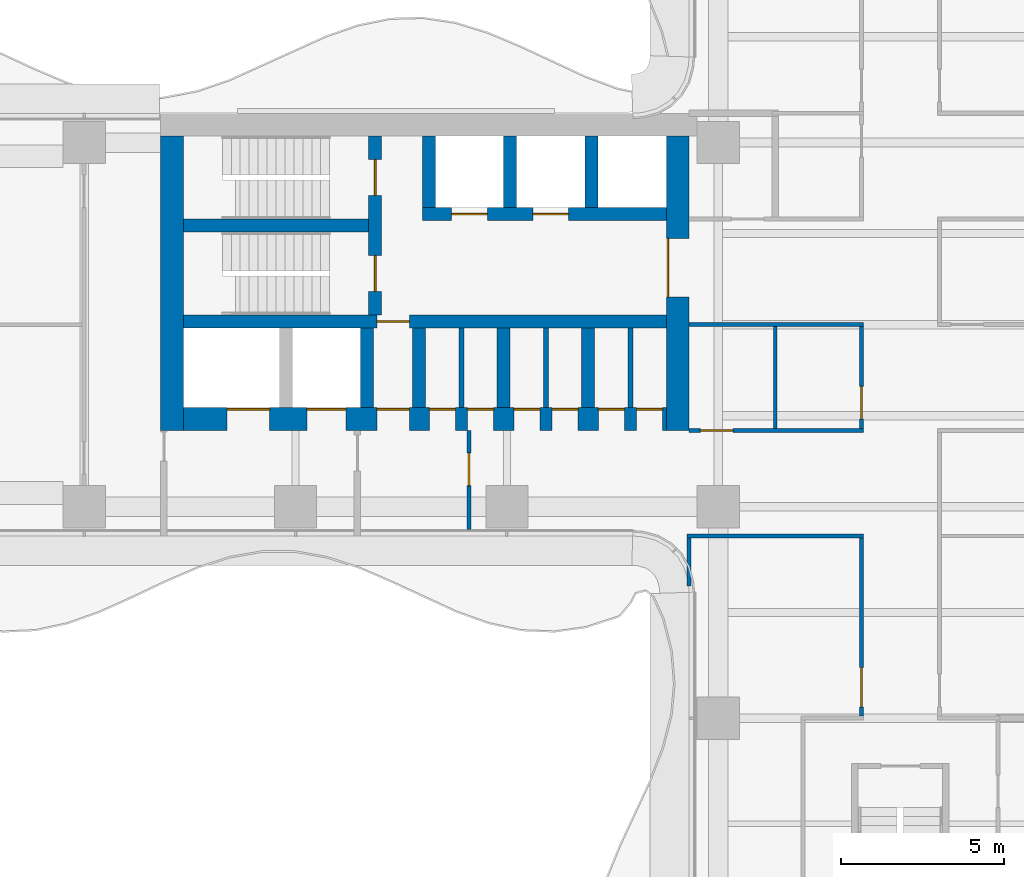
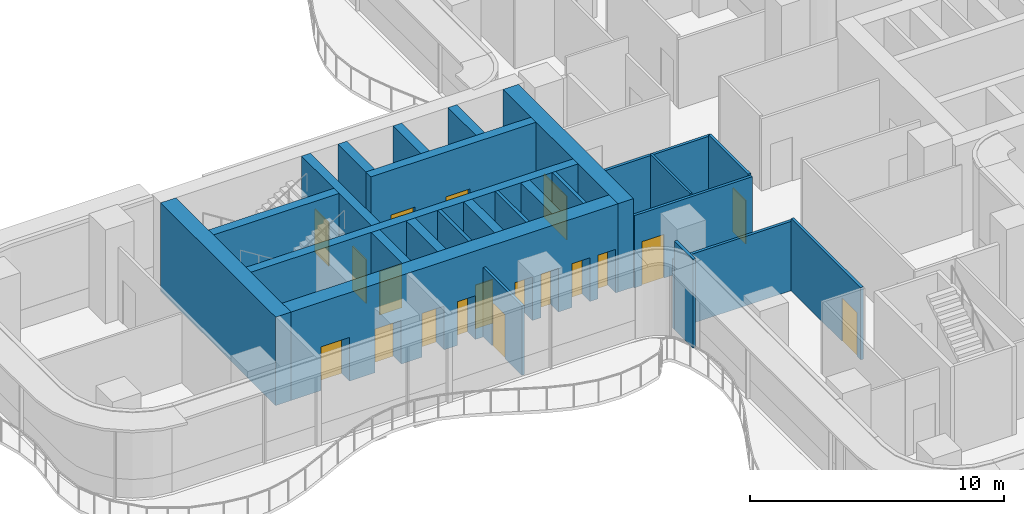
# One storey, part 16 of 21: 25 walls, 19 doors, 19 openings.
"""IFC4 building model written with IfcOpenShell, lengths in metres."""

from ifc_helpers import new_model, si_unit, direction, frame, frame_2d, origin, place, context, subcontext, project, spatial, rectangle, extrude, source, transform, mapped, material, layer, layer_set, type_object, element, fill, save


model = new_model("IFC4")

# Units and contexts
model_context = context("Model", 3, precision=1e-05, world=origin(), true_north=direction((0.0, 1.0)))
body_context = subcontext(model_context, "Body", "Model", "MODEL_VIEW")
ifc_project = project(units=[si_unit("LENGTHUNIT", "METRE"), si_unit("AREAUNIT", "SQUARE_METRE"), si_unit("VOLUMEUNIT", "CUBIC_METRE"), si_unit("PLANEANGLEUNIT", "RADIAN"), si_unit("MASSUNIT", "GRAM", prefix="KILO")], contexts=[model_context])

# Site, building, storey
site_placement = place(None, origin())
site = spatial("IfcSite", under=ifc_project, at=site_placement, CompositionType="ELEMENT")
building_placement = place(site_placement, origin())
building = spatial("IfcBuilding", under=site, at=building_placement, Name="Trellis Farm Tower", CompositionType="ELEMENT")
storey_placement = place(building_placement, frame((0.0, 0.0, 147.0)))
storey = spatial("IfcBuildingStorey", under=building, at=storey_placement, Name="L31", CompositionType="ELEMENT", Elevation=147.0)

# Wall, opening, door
ifc_material_1 = material(Name="Concrete C70/85", Category="concrete")
ifc_layer_1 = layer(ifc_material_1, 0.699951171875)
ifc_layer_set_1 = layer_set([ifc_layer_1], Name="CORE OUTER WALL 700 CONCRETE C70/85")
wall_type_1 = type_object("IfcWallType", Name="CORE OUTER WALL 700 CONCRETE C70/85", PredefinedType="SHEAR", material=ifc_layer_set_1)
shared_shape_1 = source(origin(), body_context, "Body", "SweptSolid", [
    extrude(rectangle(XDim=9.050048828125, YDim=0.699951171875, at=frame_2d((4.52490234375, 0.0))), origin(), (0.0, 0.0, 1.0), 4.25),
])
wall_1_placement = place(storey_placement, frame((-6.85009765625, 5.800048828125, 0.0), z_axis=(0.0, 0.0, 1.0), x_axis=(0.0, -1.0, 0.0)))
wall_1 = element("IfcWall", 1, at=wall_1_placement, inside=storey, type_object=wall_type_1, Name="Core wall", PredefinedType="SHEAR", context=body_context, shape_type="MappedRepresentation", body=[
    mapped(shared_shape_1, transform((0.0, 0.0, 0.0))),
])
shared_shape_2 = source(origin(), body_context, "Body", "SweptSolid", [
    extrude(rectangle(XDim=1.800048828125, YDim=2.10009765625, at=frame_2d((0.89990234375, 1.050048828125))), frame((0.0, 0.360107421875, 0.0), z_axis=(0.0, -1.0, 0.0), x_axis=(1.0, 0.0, 0.0)), (0.0, 0.0, 1.0), 0.72021484375),
])
opening_1_placement = place(wall_1_placement, frame((3.14990234375, 0.0, 0.0)))
opening_1 = element("IfcOpeningElement", 2, at=opening_1_placement, cuts=wall_1, Name="Opening DC87", PredefinedType="OPENING", context=body_context, shape_type="MappedRepresentation", body=[
    mapped(shared_shape_2, transform((0.0, 0.0, 0.0))),
])
ifc_material_2 = material(Name="Steel", Category="steel")
door_type_1 = type_object("IfcDoorType", Name="CORE FIRE DOOR DOUBLE 1800 X 2100", OperationType="DOUBLE_DOOR_SINGLE_SWING", PredefinedType="DOOR", material=ifc_material_2)
shared_shape_3 = source(origin(), body_context, "Body", "SweptSolid", [
    extrude(rectangle(XDim=1.800048828125, YDim=2.10009765625, at=frame_2d((0.89990234375, 1.050048828125))), frame((0.0, -0.27490234375, 0.0), z_axis=(0.0, -1.0, 0.0), x_axis=(1.0, 0.0, 0.0)), (0.0, 0.0, 1.0), 0.050048828125),
])
door_1_placement = place(opening_1_placement, origin())
door_1 = element("IfcDoor", 3, at=door_1_placement, inside=storey, type_object=door_type_1, Name="Core door", OperationType="DOUBLE_DOOR_SINGLE_SWING", OverallHeight=2.10009765625, OverallWidth=1.800048828125, PredefinedType="DOOR", context=body_context, shape_type="MappedRepresentation", body=[
    mapped(shared_shape_3, transform((0.0, 0.0, 0.0))),
])
fill(opening_1, door_1)

# Walls
wall_2_placement = place(storey_placement, frame((-22.39990234375, 5.800048828125, 0.0), z_axis=(0.0, 0.0, 1.0), x_axis=(0.0, -1.0, 0.0)))
element("IfcWall", 4, at=wall_2_placement, inside=storey, type_object=wall_type_1, Name="Core wall", PredefinedType="SHEAR", context=body_context, shape_type="MappedRepresentation", body=[
    mapped(shared_shape_1, transform((0.0, 0.0, 0.0))),
])
ifc_layer_2 = layer(ifc_material_1, 0.39990234375)
ifc_layer_set_2 = layer_set([ifc_layer_2], Name="CORE INNER WALL 400 CONCRETE C70/85")
wall_type_2 = type_object("IfcWallType", Name="CORE INNER WALL 400 CONCRETE C70/85", PredefinedType="SHEAR", material=ifc_layer_set_2)
shared_shape_4 = source(origin(), body_context, "Body", "SweptSolid", [
    extrude(rectangle(XDim=2.199951171875, YDim=0.39990234375, at=frame_2d((1.10009765625, 0.0))), origin(), (0.0, 0.0, 1.0), 4.25),
])
for number, where, z_axis, x_axis, name in (
    (5, (-9.5, 5.800048828125, 0.0), (0.0, 0.0, 1.0), (0.0, -1.0, 0.0), "Core wall"),
    (6, (-12.0, 5.800048828125, 0.0), (0.0, 0.0, 1.0), (0.0, -1.0, 0.0), "Core wall"),
    (7, (-14.5, 5.800048828125, 0.0), (0.0, 0.0, 1.0), (0.0, -1.0, 0.0), "Core wall"),
):
    element("IfcWall", number, at=place(storey_placement, frame(where, z_axis=z_axis, x_axis=x_axis)), inside=storey, type_object=wall_type_2, Name=name, PredefinedType="SHEAR", context=body_context, shape_type="MappedRepresentation", body=[
        mapped(shared_shape_4, transform((0.0, 0.0, 0.0))),
    ])
shared_shape_5 = source(origin(), body_context, "Body", "SweptSolid", [
    extrude(rectangle(XDim=2.449951171875, YDim=0.39990234375, at=frame_2d((1.22509765625, 0.0))), origin(), (0.0, 0.0, 1.0), 4.25),
])
for number, where, z_axis, x_axis, name in (
    (8, (-9.60009765625, -0.10009765625, 0.0), (0.0, 0.0, 1.0), (0.0, -1.0, 0.0), "Core wall"),
    (9, (-12.199951171875, -0.10009765625, 0.0), (0.0, 0.0, 1.0), (0.0, -1.0, 0.0), "Core wall"),
    (10, (-14.800048828125, -0.10009765625, 0.0), (0.0, 0.0, 1.0), (0.0, -1.0, 0.0), "Core wall"),
    (11, (-16.39990234375, -0.10009765625, 0.0), (0.0, 0.0, 1.0), (0.0, -1.0, 0.0), "Core wall"),
):
    element("IfcWall", number, at=place(storey_placement, frame(where, z_axis=z_axis, x_axis=x_axis)), inside=storey, type_object=wall_type_2, Name=name, PredefinedType="SHEAR", context=body_context, shape_type="MappedRepresentation", body=[
        mapped(shared_shape_5, transform((0.0, 0.0, 0.0))),
    ])

# Wall, openings, doors
shared_shape_6 = source(origin(), body_context, "Body", "SweptSolid", [
    extrude(rectangle(XDim=14.85009765625, YDim=0.699951171875, at=frame_2d((7.425048828125, 0.0))), origin(), (0.0, 0.0, 1.0), 4.25),
])
wall_3_placement = place(storey_placement, frame((-7.199951171875, -2.89990234375, 0.0), z_axis=(0.0, 0.0, 1.0), x_axis=(-1.0, 0.0, 0.0)))
wall_3 = element("IfcWall", 12, at=wall_3_placement, inside=storey, type_object=wall_type_1, Name="Core wall", PredefinedType="SHEAR", context=body_context, shape_type="MappedRepresentation", body=[
    mapped(shared_shape_6, transform((0.0, 0.0, 0.0))),
])
shared_shape_7 = source(origin(), body_context, "Body", "SweptSolid", [
    extrude(rectangle(XDim=1.300048828125, YDim=2.10009765625, at=frame_2d((0.64990234375, 1.050048828125))), frame((0.0, 0.360107421875, 0.0), z_axis=(0.0, -1.0, 0.0), x_axis=(1.0, 0.0, 0.0)), (0.0, 0.0, 1.0), 0.72021484375),
])
opening_2_placement = place(wall_3_placement, frame((12.199951171875, 0.0, 0.0)))
opening_2 = element("IfcOpeningElement", 13, at=opening_2_placement, cuts=wall_3, Name="Opening LD15", PredefinedType="OPENING", context=body_context, shape_type="MappedRepresentation", body=[
    mapped(shared_shape_7, transform((0.0, 0.0, 0.0))),
])
shared_shape_8 = source(origin(), body_context, "Body", "SweptSolid", [
    extrude(rectangle(XDim=1.199951171875, YDim=2.10009765625, at=frame_2d((0.60009765625, 1.050048828125))), frame((0.0, 0.360107421875, 0.0), z_axis=(0.0, -1.0, 0.0), x_axis=(1.0, 0.0, 0.0)), (0.0, 0.0, 1.0), 0.72021484375),
])
opening_3_placement = place(wall_3_placement, frame((9.85009765625, 0.0, 0.0)))
opening_3 = element("IfcOpeningElement", 14, at=opening_3_placement, cuts=wall_3, Name="Opening LD16", PredefinedType="OPENING", context=body_context, shape_type="MappedRepresentation", body=[
    mapped(shared_shape_8, transform((0.0, 0.0, 0.0))),
])
shared_shape_9 = source(origin(), body_context, "Body", "SweptSolid", [
    extrude(rectangle(XDim=1.0, YDim=2.10009765625, at=frame_2d((0.5, 1.050048828125))), frame((0.0, 0.360107421875, 0.0), z_axis=(0.0, -1.0, 0.0), x_axis=(1.0, 0.0, 0.0)), (0.0, 0.0, 1.0), 0.72021484375),
])
opening_4_placement = place(wall_3_placement, frame((7.89990234375, 0.0, 0.0)))
opening_4 = element("IfcOpeningElement", 15, at=opening_4_placement, cuts=wall_3, Name="Opening DC92", PredefinedType="OPENING", context=body_context, shape_type="MappedRepresentation", body=[
    mapped(shared_shape_9, transform((0.0, 0.0, 0.0))),
])
shared_shape_10 = source(origin(), body_context, "Body", "SweptSolid", [
    extrude(rectangle(XDim=0.800048828125, YDim=2.10009765625, at=frame_2d((0.39990234375, 1.050048828125))), frame((0.0, 0.360107421875, 0.0), z_axis=(0.0, -1.0, 0.0), x_axis=(1.0, 0.0, 0.0)), (0.0, 0.0, 1.0), 0.72021484375),
])
opening_5_placement = place(wall_3_placement, frame((0.112548828125, 0.0, 0.0)))
opening_5 = element("IfcOpeningElement", 16, at=opening_5_placement, cuts=wall_3, Name="Opening DC95", PredefinedType="OPENING", context=body_context, shape_type="MappedRepresentation", body=[
    mapped(shared_shape_10, transform((0.0, 0.0, 0.0))),
])
opening_6_placement = place(wall_3_placement, frame((1.28759765625, 0.0, 0.0)))
opening_6 = element("IfcOpeningElement", 17, at=opening_6_placement, cuts=wall_3, Name="Opening DC102", PredefinedType="OPENING", context=body_context, shape_type="MappedRepresentation", body=[
    mapped(shared_shape_10, transform((0.0, 0.0, 0.0))),
])
opening_7_placement = place(wall_3_placement, frame((2.71240234375, 0.0, 0.0)))
opening_7 = element("IfcOpeningElement", 18, at=opening_7_placement, cuts=wall_3, Name="Opening DC107", PredefinedType="OPENING", context=body_context, shape_type="MappedRepresentation", body=[
    mapped(shared_shape_10, transform((0.0, 0.0, 0.0))),
])
opening_8_placement = place(wall_3_placement, frame((3.887451171875, 0.0, 0.0)))
opening_8 = element("IfcOpeningElement", 19, at=opening_8_placement, cuts=wall_3, Name="Opening DC114", PredefinedType="OPENING", context=body_context, shape_type="MappedRepresentation", body=[
    mapped(shared_shape_10, transform((0.0, 0.0, 0.0))),
])
opening_9_placement = place(wall_3_placement, frame((5.3125, 0.0, 0.0)))
opening_9 = element("IfcOpeningElement", 20, at=opening_9_placement, cuts=wall_3, Name="Opening DC119", PredefinedType="OPENING", context=body_context, shape_type="MappedRepresentation", body=[
    mapped(shared_shape_10, transform((0.0, 0.0, 0.0))),
])
opening_10_placement = place(wall_3_placement, frame((6.487548828125, 0.0, 0.0)))
opening_10 = element("IfcOpeningElement", 21, at=opening_10_placement, cuts=wall_3, Name="Opening DC126", PredefinedType="OPENING", context=body_context, shape_type="MappedRepresentation", body=[
    mapped(shared_shape_10, transform((0.0, 0.0, 0.0))),
])
door_type_2 = type_object("IfcDoorType", Name="CORE FIRE DOOR 1000 X 2100", OperationType="NOTDEFINED", PredefinedType="DOOR", material=ifc_material_2)
shared_shape_11 = source(origin(), body_context, "Body", "SweptSolid", [
    extrude(rectangle(XDim=1.0, YDim=2.10009765625, at=frame_2d((0.5, 1.050048828125))), frame((0.0, -0.27490234375, 0.0), z_axis=(0.0, -1.0, 0.0), x_axis=(1.0, 0.0, 0.0)), (0.0, 0.0, 1.0), 0.050048828125),
])
door_2_placement = place(opening_4_placement, origin())
door_2 = element("IfcDoor", 22, at=door_2_placement, inside=storey, type_object=door_type_2, Name="Core door", OperationType="SINGLE_SWING_LEFT", OverallHeight=2.10009765625, OverallWidth=1.0, PredefinedType="DOOR", context=body_context, shape_type="MappedRepresentation", body=[
    mapped(shared_shape_11, transform((0.0, 0.0, 0.0))),
])
fill(opening_4, door_2)
ifc_material_3 = material(Name="Stainless steel", Category="steel")
door_type_3 = type_object("IfcDoorType", Name="LIFT LANDING DOOR 1300 X 2100", OperationType="DOUBLE_DOOR_SLIDING", PredefinedType="DOOR", material=ifc_material_3)
shared_shape_12 = source(origin(), body_context, "Body", "SweptSolid", [
    extrude(rectangle(XDim=1.300048828125, YDim=2.10009765625, at=frame_2d((0.64990234375, 1.050048828125))), frame((0.0, -0.27490234375, 0.0), z_axis=(0.0, -1.0, 0.0), x_axis=(1.0, 0.0, 0.0)), (0.0, 0.0, 1.0), 0.050048828125),
])
door_3_placement = place(opening_2_placement, origin())
door_3 = element("IfcDoor", 23, at=door_3_placement, inside=storey, type_object=door_type_3, Name="Lift landing door", OperationType="DOUBLE_DOOR_SLIDING", OverallHeight=2.10009765625, OverallWidth=1.300048828125, PredefinedType="DOOR", context=body_context, shape_type="MappedRepresentation", body=[
    mapped(shared_shape_12, transform((0.0, 0.0, 0.0))),
])
fill(opening_2, door_3)
door_type_4 = type_object("IfcDoorType", Name="LIFT LANDING DOOR 1200 X 2100", OperationType="DOUBLE_DOOR_SLIDING", PredefinedType="DOOR", material=ifc_material_3)
shared_shape_13 = source(origin(), body_context, "Body", "SweptSolid", [
    extrude(rectangle(XDim=1.199951171875, YDim=2.10009765625, at=frame_2d((0.60009765625, 1.050048828125))), frame((0.0, -0.27490234375, 0.0), z_axis=(0.0, -1.0, 0.0), x_axis=(1.0, 0.0, 0.0)), (0.0, 0.0, 1.0), 0.050048828125),
])
door_4_placement = place(opening_3_placement, origin())
door_4 = element("IfcDoor", 24, at=door_4_placement, inside=storey, type_object=door_type_4, Name="Lift landing door", OperationType="DOUBLE_DOOR_SLIDING", OverallHeight=2.10009765625, OverallWidth=1.199951171875, PredefinedType="DOOR", context=body_context, shape_type="MappedRepresentation", body=[
    mapped(shared_shape_13, transform((0.0, 0.0, 0.0))),
])
fill(opening_3, door_4)
door_type_5 = type_object("IfcDoorType", Name="CORE FIRE DOOR 800 X 2100", OperationType="NOTDEFINED", PredefinedType="DOOR", material=ifc_material_2)
shared_shape_14 = source(origin(), body_context, "Body", "SweptSolid", [
    extrude(rectangle(XDim=0.800048828125, YDim=2.10009765625, at=frame_2d((0.39990234375, 1.050048828125))), frame((0.0, -0.27490234375, 0.0), z_axis=(0.0, -1.0, 0.0), x_axis=(1.0, 0.0, 0.0)), (0.0, 0.0, 1.0), 0.050048828125),
])
door_5_placement = place(opening_5_placement, origin())
door_5 = element("IfcDoor", 25, at=door_5_placement, inside=storey, type_object=door_type_5, Name="Core door", OperationType="SINGLE_SWING_LEFT", OverallHeight=2.10009765625, OverallWidth=0.800048828125, PredefinedType="DOOR", context=body_context, shape_type="MappedRepresentation", body=[
    mapped(shared_shape_14, transform((0.0, 0.0, 0.0))),
])
fill(opening_5, door_5)
door_6_placement = place(opening_6_placement, origin())
door_6 = element("IfcDoor", 26, at=door_6_placement, inside=storey, type_object=door_type_5, Name="Core door", OperationType="SINGLE_SWING_RIGHT", OverallHeight=2.10009765625, OverallWidth=0.800048828125, PredefinedType="DOOR", context=body_context, shape_type="MappedRepresentation", body=[
    mapped(shared_shape_14, transform((0.0, 0.0, 0.0))),
])
fill(opening_6, door_6)
door_7_placement = place(opening_7_placement, origin())
door_7 = element("IfcDoor", 27, at=door_7_placement, inside=storey, type_object=door_type_5, Name="Core door", OperationType="SINGLE_SWING_LEFT", OverallHeight=2.10009765625, OverallWidth=0.800048828125, PredefinedType="DOOR", context=body_context, shape_type="MappedRepresentation", body=[
    mapped(shared_shape_14, transform((0.0, 0.0, 0.0))),
])
fill(opening_7, door_7)
door_8_placement = place(opening_8_placement, origin())
door_8 = element("IfcDoor", 28, at=door_8_placement, inside=storey, type_object=door_type_5, Name="Core door", OperationType="SINGLE_SWING_RIGHT", OverallHeight=2.10009765625, OverallWidth=0.800048828125, PredefinedType="DOOR", context=body_context, shape_type="MappedRepresentation", body=[
    mapped(shared_shape_14, transform((0.0, 0.0, 0.0))),
])
fill(opening_8, door_8)
door_9_placement = place(opening_9_placement, origin())
door_9 = element("IfcDoor", 29, at=door_9_placement, inside=storey, type_object=door_type_5, Name="Core door", OperationType="SINGLE_SWING_LEFT", OverallHeight=2.10009765625, OverallWidth=0.800048828125, PredefinedType="DOOR", context=body_context, shape_type="MappedRepresentation", body=[
    mapped(shared_shape_14, transform((0.0, 0.0, 0.0))),
])
fill(opening_9, door_9)
door_10_placement = place(opening_10_placement, origin())
door_10 = element("IfcDoor", 30, at=door_10_placement, inside=storey, type_object=door_type_5, Name="Core door", OperationType="SINGLE_SWING_RIGHT", OverallHeight=2.10009765625, OverallWidth=0.800048828125, PredefinedType="DOOR", context=body_context, shape_type="MappedRepresentation", body=[
    mapped(shared_shape_14, transform((0.0, 0.0, 0.0))),
])
fill(opening_10, door_10)

shared_shape_15 = source(origin(), body_context, "Body", "SweptSolid", [
    extrude(rectangle(XDim=7.5, YDim=0.39990234375, at=frame_2d((3.75, 0.0))), origin(), (0.0, 0.0, 1.0), 4.25),
])
wall_4_placement = place(storey_placement, frame((-7.199951171875, 3.39990234375, 0.0), z_axis=(0.0, 0.0, 1.0), x_axis=(-1.0, 0.0, 0.0)))
wall_4 = element("IfcWall", 31, at=wall_4_placement, inside=storey, type_object=wall_type_2, Name="Core wall", PredefinedType="SHEAR", context=body_context, shape_type="MappedRepresentation", body=[
    mapped(shared_shape_15, transform((0.0, 0.0, 0.0))),
])
shared_shape_16 = source(origin(), body_context, "Body", "SweptSolid", [
    extrude(rectangle(XDim=1.10009765625, YDim=2.10009765625, at=frame_2d((0.550048828125, 1.050048828125))), frame((0.0, 0.2099609375, 0.0), z_axis=(0.0, -1.0, 0.0), x_axis=(1.0, 0.0, 0.0)), (0.0, 0.0, 1.0), 0.419921875),
])
opening_11_placement = place(wall_4_placement, frame((3.0, 0.0, 0.0)))
opening_11 = element("IfcOpeningElement", 32, at=opening_11_placement, cuts=wall_4, Name="Opening LD10", PredefinedType="OPENING", context=body_context, shape_type="MappedRepresentation", body=[
    mapped(shared_shape_16, transform((0.0, 0.0, 0.0))),
])
opening_12_placement = place(wall_4_placement, frame((5.5, 0.0, 0.0)))
opening_12 = element("IfcOpeningElement", 33, at=opening_12_placement, cuts=wall_4, Name="Opening LD11", PredefinedType="OPENING", context=body_context, shape_type="MappedRepresentation", body=[
    mapped(shared_shape_16, transform((0.0, 0.0, 0.0))),
])
door_type_6 = type_object("IfcDoorType", Name="LIFT LANDING DOOR 1100 X 2100", OperationType="DOUBLE_DOOR_SLIDING", PredefinedType="DOOR", material=ifc_material_3)
shared_shape_17 = source(origin(), body_context, "Body", "SweptSolid", [
    extrude(rectangle(XDim=1.10009765625, YDim=2.10009765625, at=frame_2d((0.550048828125, 1.050048828125))), frame((0.0, 0.02490234375, 0.0), z_axis=(0.0, -1.0, 0.0), x_axis=(1.0, 0.0, 0.0)), (0.0, 0.0, 1.0), 0.050048828125),
])
door_11_placement = place(opening_11_placement, origin())
door_11 = element("IfcDoor", 34, at=door_11_placement, inside=storey, type_object=door_type_6, Name="Lift landing door", OperationType="DOUBLE_DOOR_SLIDING", OverallHeight=2.10009765625, OverallWidth=1.10009765625, PredefinedType="DOOR", context=body_context, shape_type="MappedRepresentation", body=[
    mapped(shared_shape_17, transform((0.0, 0.0, 0.0))),
])
fill(opening_11, door_11)
door_12_placement = place(opening_12_placement, origin())
door_12 = element("IfcDoor", 35, at=door_12_placement, inside=storey, type_object=door_type_6, Name="Lift landing door", OperationType="DOUBLE_DOOR_SLIDING", OverallHeight=2.10009765625, OverallWidth=1.10009765625, PredefinedType="DOOR", context=body_context, shape_type="MappedRepresentation", body=[
    mapped(shared_shape_17, transform((0.0, 0.0, 0.0))),
])
fill(opening_12, door_12)

# Wall, opening, door
shared_shape_18 = source(origin(), body_context, "Body", "SweptSolid", [
    extrude(rectangle(XDim=14.85009765625, YDim=0.39990234375, at=frame_2d((7.425048828125, 0.0))), origin(), (0.0, 0.0, 1.0), 4.25),
])
wall_5_placement = place(storey_placement, frame((-7.199951171875, 0.10009765625, 0.0), z_axis=(0.0, 0.0, 1.0), x_axis=(-1.0, 0.0, 0.0)))
wall_5 = element("IfcWall", 36, at=wall_5_placement, inside=storey, type_object=wall_type_2, Name="Core wall", PredefinedType="SHEAR", context=body_context, shape_type="MappedRepresentation", body=[
    mapped(shared_shape_18, transform((0.0, 0.0, 0.0))),
])
shared_shape_19 = source(origin(), body_context, "Body", "SweptSolid", [
    extrude(rectangle(XDim=1.0, YDim=2.10009765625, at=frame_2d((0.5, 1.050048828125))), frame((0.0, 0.2099609375, 0.0), z_axis=(0.0, -1.0, 0.0), x_axis=(1.0, 0.0, 0.0)), (0.0, 0.0, 1.0), 0.419921875),
])
opening_13_placement = place(wall_5_placement, frame((7.89990234375, 0.0, 0.0)))
opening_13 = element("IfcOpeningElement", 37, at=opening_13_placement, cuts=wall_5, Name="Opening DC91", PredefinedType="OPENING", context=body_context, shape_type="MappedRepresentation", body=[
    mapped(shared_shape_19, transform((0.0, 0.0, 0.0))),
])
shared_shape_20 = source(origin(), body_context, "Body", "SweptSolid", [
    extrude(rectangle(XDim=1.0, YDim=2.10009765625, at=frame_2d((0.5, 1.050048828125))), frame((0.0, 0.02490234375, 0.0), z_axis=(0.0, -1.0, 0.0), x_axis=(1.0, 0.0, 0.0)), (0.0, 0.0, 1.0), 0.050048828125),
])
door_13_placement = place(opening_13_placement, origin())
door_13 = element("IfcDoor", 38, at=door_13_placement, inside=storey, type_object=door_type_2, Name="Core door", OperationType="SINGLE_SWING_RIGHT", OverallHeight=2.10009765625, OverallWidth=1.0, PredefinedType="DOOR", context=body_context, shape_type="MappedRepresentation", body=[
    mapped(shared_shape_20, transform((0.0, 0.0, 0.0))),
])
fill(opening_13, door_13)

# Wall, openings, doors
shared_shape_21 = source(origin(), body_context, "Body", "SweptSolid", [
    extrude(rectangle(XDim=5.5, YDim=0.39990234375, at=frame_2d((2.75, 0.0))), origin(), (0.0, 0.0, 1.0), 4.25),
])
wall_6_placement = place(storey_placement, frame((-16.14990234375, 5.800048828125, 0.0), z_axis=(0.0, 0.0, 1.0), x_axis=(0.0, -1.0, 0.0)))
wall_6 = element("IfcWall", 39, at=wall_6_placement, inside=storey, type_object=wall_type_2, Name="Core wall", PredefinedType="SHEAR", context=body_context, shape_type="MappedRepresentation", body=[
    mapped(shared_shape_21, transform((0.0, 0.0, 0.0))),
])
opening_14_placement = place(wall_6_placement, frame((0.72509765625, 0.0, 0.0)))
opening_14 = element("IfcOpeningElement", 40, at=opening_14_placement, cuts=wall_6, Name="Opening DC88", PredefinedType="OPENING", context=body_context, shape_type="MappedRepresentation", body=[
    mapped(shared_shape_16, transform((0.0, 0.0, 0.0))),
])
opening_15_placement = place(wall_6_placement, frame((3.675048828125, 0.0, 0.0)))
opening_15 = element("IfcOpeningElement", 41, at=opening_15_placement, cuts=wall_6, Name="Opening DC89", PredefinedType="OPENING", context=body_context, shape_type="MappedRepresentation", body=[
    mapped(shared_shape_16, transform((0.0, 0.0, 0.0))),
])
door_type_7 = type_object("IfcDoorType", Name="CORE FIRE DOOR 1100 X 2100", OperationType="NOTDEFINED", PredefinedType="DOOR", material=ifc_material_2)
door_14_placement = place(opening_14_placement, origin())
door_14 = element("IfcDoor", 42, at=door_14_placement, inside=storey, type_object=door_type_7, Name="Core door", OperationType="SINGLE_SWING_RIGHT", OverallHeight=2.10009765625, OverallWidth=1.10009765625, PredefinedType="DOOR", context=body_context, shape_type="MappedRepresentation", body=[
    mapped(shared_shape_17, transform((0.0, 0.0, 0.0))),
])
fill(opening_14, door_14)
door_15_placement = place(opening_15_placement, origin())
door_15 = element("IfcDoor", 43, at=door_15_placement, inside=storey, type_object=door_type_7, Name="Core door", OperationType="SINGLE_SWING_LEFT", OverallHeight=2.10009765625, OverallWidth=1.10009765625, PredefinedType="DOOR", context=body_context, shape_type="MappedRepresentation", body=[
    mapped(shared_shape_17, transform((0.0, 0.0, 0.0))),
])
fill(opening_15, door_15)

# Walls
shared_shape_22 = source(origin(), body_context, "Body", "SweptSolid", [
    extrude(rectangle(XDim=5.699951171875, YDim=0.39990234375, at=frame_2d((2.85009765625, 0.0))), origin(), (0.0, 0.0, 1.0), 4.25),
])
wall_7_placement = place(storey_placement, frame((-16.35009765625, 3.050048828125, 0.0), z_axis=(0.0, 0.0, 1.0), x_axis=(-1.0, 0.0, 0.0)))
element("IfcWall", 44, at=wall_7_placement, inside=storey, type_object=wall_type_2, Name="Core wall", PredefinedType="SHEAR", context=body_context, shape_type="MappedRepresentation", body=[
    mapped(shared_shape_22, transform((0.0, 0.0, 0.0))),
])
ifc_material_4 = material(Name="Masonry blockwork", Category="masonry")
ifc_layer_3 = layer(ifc_material_4, 0.14990234375)
ifc_layer_set_3 = layer_set([ifc_layer_3], Name="CORE PARTITION 150 BLOCKWORK")
wall_type_3 = type_object("IfcWallType", Name="CORE PARTITION 150 BLOCKWORK", PredefinedType="PARTITIONING", material=ifc_layer_set_3)
shared_shape_23 = source(origin(), body_context, "Body", "SweptSolid", [
    extrude(rectangle(XDim=2.449951171875, YDim=0.14990234375, at=frame_2d((1.22509765625, 0.0))), origin(), (0.0, 0.0, 1.0), 4.25),
])
for number, where, z_axis, x_axis, name in (
    (45, (-8.300048828125, -0.10009765625, 0.0), (0.0, 0.0, 1.0), (0.0, -1.0, 0.0), "Core room partition"),
    (46, (-10.89990234375, -0.10009765625, 0.0), (0.0, 0.0, 1.0), (0.0, -1.0, 0.0), "Core room partition"),
    (47, (-13.5, -0.10009765625, 0.0), (0.0, 0.0, 1.0), (0.0, -1.0, 0.0), "Core room partition"),
):
    element("IfcWall", number, at=place(storey_placement, frame(where, z_axis=z_axis, x_axis=x_axis)), inside=storey, type_object=wall_type_3, Name=name, PredefinedType="PARTITIONING", context=body_context, shape_type="MappedRepresentation", body=[
        mapped(shared_shape_23, transform((0.0, 0.0, 0.0))),
    ])

# Wall, opening, door
ifc_material_5 = material(Name="Plasterboard on steel studs, mineral wool", Category="steel")
ifc_layer_4 = layer(ifc_material_5, 0.125)
ifc_layer_set_4 = layer_set([ifc_layer_4], Name="PARTITION 125 STUD EI 60")
wall_type_4 = type_object("IfcWallType", Name="PARTITION 125 STUD EI 60", PredefinedType="PARTITIONING", material=ifc_layer_set_4)
shared_shape_24 = source(origin(), body_context, "Body", "SweptSolid", [
    extrude(rectangle(XDim=3.125, YDim=0.125, at=frame_2d((1.5625, 0.0))), origin(), (0.0, 0.0, 1.0), 3.54638671875),
])
wall_8_placement = place(storey_placement, frame((-1.199951171875, -0.0625, 0.0), z_axis=(0.0, 0.0, 1.0), x_axis=(0.0, -1.0, 0.0)))
wall_8 = element("IfcWall", 48, at=wall_8_placement, inside=storey, type_object=wall_type_4, Name="Partition PW1", PredefinedType="PARTITIONING", context=body_context, shape_type="MappedRepresentation", body=[
    mapped(shared_shape_24, transform((0.0, 0.0, 0.0))),
])
shared_shape_25 = source(origin(), body_context, "Body", "SweptSolid", [
    extrude(rectangle(XDim=1.0, YDim=2.10009765625, at=frame_2d((0.5, 1.050048828125))), frame((0.0, 0.072509765625, 0.0), z_axis=(0.0, -1.0, 0.0), x_axis=(1.0, 0.0, 0.0)), (0.0, 0.0, 1.0), 0.14501953125),
])
opening_16_placement = place(wall_8_placement, frame((1.83740234375, 0.0, 0.0)))
opening_16 = element("IfcOpeningElement", 49, at=opening_16_placement, cuts=wall_8, Name="Opening D106", PredefinedType="OPENING", context=body_context, shape_type="MappedRepresentation", body=[
    mapped(shared_shape_25, transform((0.0, 0.0, 0.0))),
])
ifc_material_6 = material(Name="Fire-rated timber door leaf in a hollow metal frame", Category="wood")
door_type_8 = type_object("IfcDoorType", Name="DOOR 1000x2100 FD30S", OperationType="NOTDEFINED", PredefinedType="DOOR", material=ifc_material_6)
door_16_placement = place(opening_16_placement, origin())
door_16 = element("IfcDoor", 50, at=door_16_placement, inside=storey, type_object=door_type_8, Name="Door D106", OperationType="SINGLE_SWING_RIGHT", OverallHeight=2.10009765625, OverallWidth=1.0, PredefinedType="DOOR", context=body_context, shape_type="MappedRepresentation", body=[
    mapped(shared_shape_20, transform((0.0, 0.0, 0.0))),
])
fill(opening_16, door_16)

shared_shape_26 = source(origin(), body_context, "Body", "SweptSolid", [
    extrude(rectangle(XDim=5.47509765625, YDim=0.125, at=frame_2d((2.737548828125, 0.0))), origin(), (0.0, 0.0, 1.0), 3.4677734375),
])
wall_9_placement = place(storey_placement, frame((-1.199951171875, -12.03759765625, 0.0), z_axis=(0.0, 0.0, 1.0), x_axis=(0.0, 1.0, 0.0)))
wall_9 = element("IfcWall", 51, at=wall_9_placement, inside=storey, type_object=wall_type_4, Name="Partition PW1", PredefinedType="PARTITIONING", context=body_context, shape_type="MappedRepresentation", body=[
    mapped(shared_shape_26, transform((0.0, 0.0, 0.0))),
])
shared_shape_27 = source(origin(), body_context, "Body", "SweptSolid", [
    extrude(rectangle(XDim=1.199951171875, YDim=2.10009765625, at=frame_2d((0.60009765625, 1.050048828125))), frame((0.0, 0.072509765625, 0.0), z_axis=(0.0, -1.0, 0.0), x_axis=(1.0, 0.0, 0.0)), (0.0, 0.0, 1.0), 0.14501953125),
])
opening_17_placement = place(wall_9_placement, frame((0.28759765625, 0.0, 0.0)))
opening_17 = element("IfcOpeningElement", 52, at=opening_17_placement, cuts=wall_9, Name="Opening D601", PredefinedType="OPENING", context=body_context, shape_type="MappedRepresentation", body=[
    mapped(shared_shape_27, transform((0.0, 0.0, 0.0))),
])
door_type_9 = type_object("IfcDoorType", Name="DOOR 1200x2100 FD30S", OperationType="NOTDEFINED", PredefinedType="DOOR", material=ifc_material_6)
shared_shape_28 = source(origin(), body_context, "Body", "SweptSolid", [
    extrude(rectangle(XDim=1.199951171875, YDim=2.10009765625, at=frame_2d((0.60009765625, 1.050048828125))), frame((0.0, 0.02490234375, 0.0), z_axis=(0.0, -1.0, 0.0), x_axis=(1.0, 0.0, 0.0)), (0.0, 0.0, 1.0), 0.050048828125),
])
door_17_placement = place(opening_17_placement, origin())
door_17 = element("IfcDoor", 53, at=door_17_placement, inside=storey, type_object=door_type_9, Name="Door D601", OperationType="SINGLE_SWING_LEFT", OverallHeight=2.10009765625, OverallWidth=1.199951171875, PredefinedType="DOOR", context=body_context, shape_type="MappedRepresentation", body=[
    mapped(shared_shape_28, transform((0.0, 0.0, 0.0))),
])
fill(opening_17, door_17)

# Wall
shared_shape_29 = source(origin(), body_context, "Body", "SweptSolid", [
    extrude(rectangle(XDim=1.468994140625, YDim=0.125, at=frame_2d((0.734375, 0.0))), origin(), (0.0, 0.0, 1.0), 4.25),
])
wall_10_placement = place(storey_placement, frame((-6.5, -6.5625, 0.0), z_axis=(0.0, 0.0, 1.0), x_axis=(0.0, -1.0, 0.0)))
element("IfcWall", 54, at=wall_10_placement, inside=storey, type_object=wall_type_4, Name="Partition PW1", PredefinedType="PARTITIONING", context=body_context, shape_type="MappedRepresentation", body=[
    mapped(shared_shape_29, transform((0.0, 0.0, 0.0))),
])

# Wall, opening, door
shared_shape_30 = source(origin(), body_context, "Body", "SweptSolid", [
    extrude(rectangle(XDim=5.362548828125, YDim=0.125, at=frame_2d((2.68115234375, 0.0))), origin(), (0.0, 0.0, 1.0), 3.4677734375),
])
wall_11_placement = place(storey_placement, frame((-1.137451171875, -3.25, 0.0), z_axis=(0.0, 0.0, 1.0), x_axis=(-1.0, 0.0, 0.0)))
wall_11 = element("IfcWall", 55, at=wall_11_placement, inside=storey, type_object=wall_type_4, Name="Partition PW1", PredefinedType="PARTITIONING", context=body_context, shape_type="MappedRepresentation", body=[
    mapped(shared_shape_30, transform((0.0, 0.0, 0.0))),
])
opening_18_placement = place(wall_11_placement, frame((4.012451171875, 0.0, 0.0)))
opening_18 = element("IfcOpeningElement", 56, at=opening_18_placement, cuts=wall_11, Name="Opening D105", PredefinedType="OPENING", context=body_context, shape_type="MappedRepresentation", body=[
    mapped(shared_shape_25, transform((0.0, 0.0, 0.0))),
])
door_18_placement = place(opening_18_placement, origin())
door_18 = element("IfcDoor", 57, at=door_18_placement, inside=storey, type_object=door_type_8, Name="Door D105", OperationType="SINGLE_SWING_RIGHT", OverallHeight=2.10009765625, OverallWidth=1.0, PredefinedType="DOOR", context=body_context, shape_type="MappedRepresentation", body=[
    mapped(shared_shape_20, transform((0.0, 0.0, 0.0))),
])
fill(opening_18, door_18)

# Walls
wall_12_placement = place(storey_placement, frame((-1.137451171875, 0.0, 0.0), z_axis=(0.0, 0.0, 1.0), x_axis=(-1.0, 0.0, 0.0)))
element("IfcWall", 58, at=wall_12_placement, inside=storey, type_object=wall_type_4, Name="Partition PW1", PredefinedType="PARTITIONING", context=body_context, shape_type="MappedRepresentation", body=[
    mapped(shared_shape_30, transform((0.0, 0.0, 0.0))),
])
shared_shape_31 = source(origin(), body_context, "Body", "SweptSolid", [
    extrude(rectangle(XDim=5.425048828125, YDim=0.125, at=frame_2d((2.71240234375, 0.0))), origin(), (0.0, 0.0, 1.0), 3.330078125),
])
wall_13_placement = place(storey_placement, frame((-1.137451171875, -6.5, 0.0), z_axis=(0.0, 0.0, 1.0), x_axis=(-1.0, 0.0, 0.0)))
element("IfcWall", 59, at=wall_13_placement, inside=storey, type_object=wall_type_4, Name="Partition PW1", PredefinedType="PARTITIONING", context=body_context, shape_type="MappedRepresentation", body=[
    mapped(shared_shape_31, transform((0.0, 0.0, 0.0))),
])
ifc_material_7 = material(Name="Plasterboard on steel studs", Category="steel")
ifc_layer_5 = layer(ifc_material_7, 0.10009765625)
ifc_layer_set_5 = layer_set([ifc_layer_5], Name="PARTITION 100 STUD EI 30")
wall_type_5 = type_object("IfcWallType", Name="PARTITION 100 STUD EI 30", PredefinedType="PARTITIONING", material=ifc_layer_set_5)
shared_shape_32 = source(origin(), body_context, "Body", "SweptSolid", [
    extrude(rectangle(XDim=3.125, YDim=0.10009765625, at=frame_2d((1.5625, 0.0))), origin(), (0.0, 0.0, 1.0), 3.54638671875),
])
wall_14_placement = place(storey_placement, frame((-3.85009765625, -3.1875, 0.0), z_axis=(0.0, 0.0, 1.0), x_axis=(0.0, 1.0, 0.0)))
element("IfcWall", 60, at=wall_14_placement, inside=storey, type_object=wall_type_5, Name="Partition PW2", PredefinedType="PARTITIONING", context=body_context, shape_type="MappedRepresentation", body=[
    mapped(shared_shape_32, transform((0.0, 0.0, 0.0))),
])

# Wall, opening, door
shared_shape_33 = source(origin(), body_context, "Body", "SweptSolid", [
    extrude(rectangle(XDim=3.050048828125, YDim=0.125, at=frame_2d((1.52490234375, 0.0))), origin(), (0.0, 0.0, 1.0), 3.330078125),
])
wall_15_placement = place(storey_placement, frame((-13.26708984375, -6.300048828125, 0.0), z_axis=(0.0, 0.0, 1.0), x_axis=(0.0, 1.0, 0.0)))
wall_15 = element("IfcWall", 61, at=wall_15_placement, inside=storey, type_object=wall_type_4, Name="Partition PW1", PredefinedType="PARTITIONING", context=body_context, shape_type="MappedRepresentation", body=[
    mapped(shared_shape_33, transform((0.0, 0.0, 0.0))),
])
opening_19_placement = place(wall_15_placement, frame((1.35009765625, 0.0, 0.0)))
opening_19 = element("IfcOpeningElement", 62, at=opening_19_placement, cuts=wall_15, Name="Opening D301", PredefinedType="OPENING", context=body_context, shape_type="MappedRepresentation", body=[
    mapped(shared_shape_25, transform((0.0, 0.0, 0.0))),
])
door_type_10 = type_object("IfcDoorType", Name="DOOR 1000x2100 FD60", OperationType="NOTDEFINED", PredefinedType="DOOR", material=ifc_material_6)
door_19_placement = place(opening_19_placement, origin())
door_19 = element("IfcDoor", 63, at=door_19_placement, inside=storey, type_object=door_type_10, Name="Door D301", OperationType="SINGLE_SWING_LEFT", OverallHeight=2.10009765625, OverallWidth=1.0, PredefinedType="DOOR", context=body_context, shape_type="MappedRepresentation", body=[
    mapped(shared_shape_20, transform((0.0, 0.0, 0.0))),
])
fill(opening_19, door_19)

save(model, "model.ifc")
